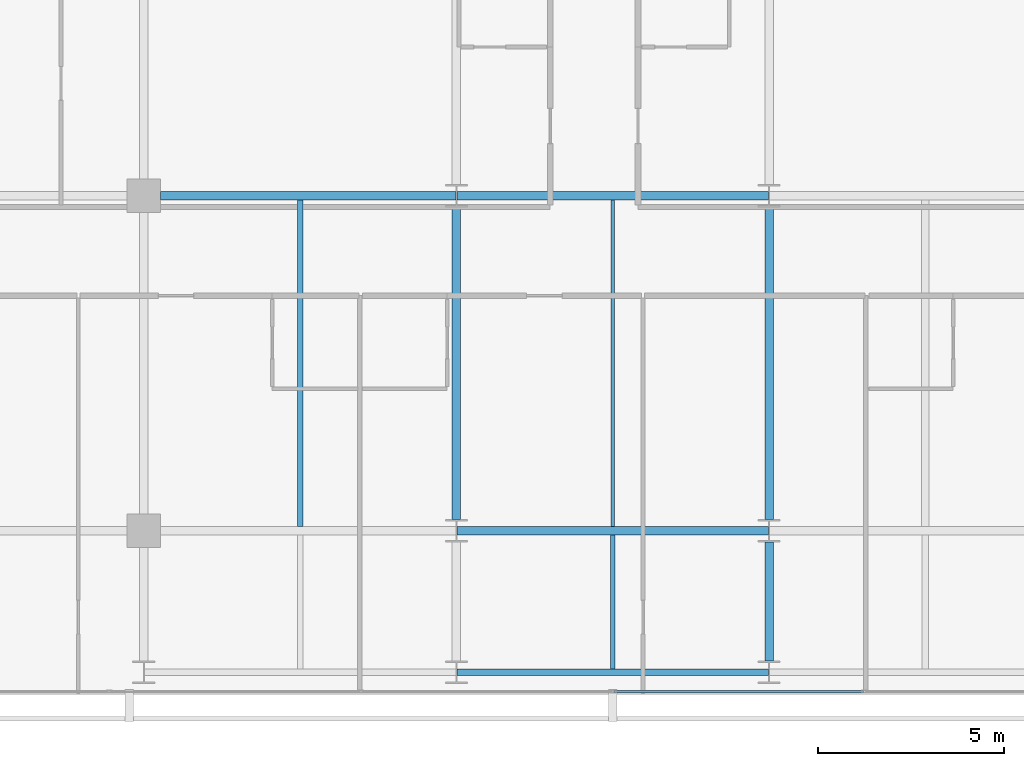
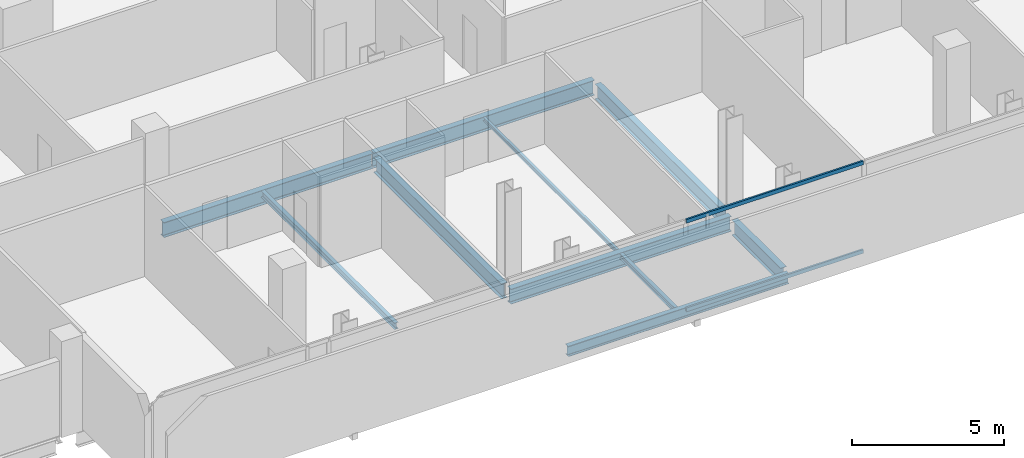
# One storey, part 7 of 33: 10 beams, 2 members, 1 element without a shape of its own.
"""IFC4 building model written with IfcOpenShell, lengths in metres."""

from ifc_helpers import new_model, si_unit, direction, frame, origin, origin_2d, place, context, subcontext, project, spatial, hollow_rectangle, i_section, extrude, material, layer, layer_set, material_profile, profile_set, type_object, element, aggregate, save


model = new_model("IFC4")

# Units and contexts
model_context = context("Model", 3, precision=1e-05, world=origin(), true_north=direction((0.0, 1.0)))
body_context = subcontext(model_context, "Body", "Model", "MODEL_VIEW")
ifc_project = project(units=[si_unit("LENGTHUNIT", "METRE"), si_unit("AREAUNIT", "SQUARE_METRE"), si_unit("VOLUMEUNIT", "CUBIC_METRE"), si_unit("PLANEANGLEUNIT", "RADIAN"), si_unit("MASSUNIT", "GRAM", prefix="KILO")], contexts=[model_context])

# Site, building, storey
site_placement = place(None, origin())
site = spatial("IfcSite", under=ifc_project, at=site_placement, CompositionType="ELEMENT")
building_placement = place(site_placement, origin())
building = spatial("IfcBuilding", under=site, at=building_placement, Name="Maruvema Waterfront Hotel and Observation Tower", CompositionType="ELEMENT")
storey_placement = place(building_placement, frame((0.0, 0.0, 169.75)))
storey = spatial("IfcBuildingStorey", under=building, at=storey_placement, Name="L41", CompositionType="ELEMENT", Elevation=169.75)

# Curtain wall, members
ifc_material_1 = material(Name="Anodised bronze aluminium and solar-control low-E IGU", Category="aluminium")
ifc_layer = layer(ifc_material_1, 0.159912109375, Name="Zone 2 Amber Inner Thermal Curtain Wall System CW-03")
ifc_layer_set = layer_set([ifc_layer], Name="Anodised bronze aluminium and solar-control low-E IGU")
curtain_wall_type = type_object("IfcCurtainWallType", Name="Zone 2 Amber Inner Thermal Curtain Wall System CW-03", PredefinedType="USERDEFINED", material=ifc_layer_set)
curtain_wall_placement = place(storey_placement, origin())
curtain_wall = element("IfcCurtainWall", 1, at=curtain_wall_placement, inside=storey, type_object=curtain_wall_type, Name="L41 Curtain Wall CW-L41-S", ObjectType="UNITISED CURTAIN WALL", PredefinedType="USERDEFINED")
ifc_material_2 = material(Name="Anodised architectural bronze aluminium", Category="aluminium")
ifc_material_profile_1 = material_profile(ifc_material_2, hollow_rectangle(XDim=0.070068359375, YDim=0.14990234375, WallThickness=0.00390625, at=origin_2d()), Name="ALU-T70x150")
ifc_profile_set_1 = profile_set([ifc_material_profile_1], Name="Anodised architectural bronze aluminium")
member_type = type_object("IfcMemberType", Name="Curtain Wall Horizontal Transom ALU-T70x150", PredefinedType="USERDEFINED", material=ifc_profile_set_1)
member_1_placement = place(storey_placement, frame((37.830078125, 4.679931640625, 0.030029296875), z_axis=(1.0, 0.0, 0.0), x_axis=(0.0, 1.0, 0.0)))
member_1 = element("IfcMember", 2, at=member_1_placement, type_object=member_type, Name="CW-03 transom 4.1", ObjectType="TRANSOM", PredefinedType="USERDEFINED", context=body_context, shape_type="SweptSolid", body=[
    extrude(hollow_rectangle(XDim=0.070068359375, YDim=0.14990234375, WallThickness=0.00390625, at=origin_2d()), origin(), (0.0, 0.0, 1.0), 6.70654296875),
])
member_2_placement = place(storey_placement, frame((37.830078125, 4.679931640625, 3.580078125), z_axis=(1.0, 0.0, 0.0), x_axis=(0.0, 1.0, 0.0)))
member_2 = element("IfcMember", 3, at=member_2_placement, type_object=member_type, Name="CW-03 transom 4.2", ObjectType="TRANSOM", PredefinedType="USERDEFINED", context=body_context, shape_type="SweptSolid", body=[
    extrude(hollow_rectangle(XDim=0.070068359375, YDim=0.14990234375, WallThickness=0.00390625, at=origin_2d()), origin(), (0.0, 0.0, 1.0), 6.70654296875),
])
aggregate(curtain_wall, [member_1, member_2])

# Beams
ifc_material_3 = material(Name="Steel ASTM A572 Grade 50", Category="steel")
ifc_material_profile_2 = material_profile(ifc_material_3, i_section(OverallWidth=0.180908203125, OverallDepth=0.4169921875, WebThickness=0.010986328125, FlangeThickness=0.018310546875, FilletRadius=0.014892578125, at=origin_2d()), Name="W410x85.0")
ifc_profile_set_2 = profile_set([ifc_material_profile_2], Name="Steel ASTM A572 Grade 50")
beam_type_1 = type_object("IfcBeamType", Name="Perimeter Spandrel Beam W410x85.0", PredefinedType="SPANDREL", material=ifc_profile_set_2)
beam_1_placement = place(storey_placement, frame((33.612548828125, 5.199951171875, -0.448486328125), z_axis=(1.0, 0.0, 0.0), x_axis=(0.0, 1.0, 0.0)))
element("IfcBeam", 4, at=beam_1_placement, inside=storey, type_object=beam_type_1, Name="L41 Floor Girder EW-02", PredefinedType="SPANDREL", context=body_context, shape_type="SweptSolid", body=[
    extrude(i_section(OverallWidth=0.180908203125, OverallDepth=0.4169921875, WebThickness=0.010986328125, FlangeThickness=0.018310546875, FilletRadius=0.014892578125, at=origin_2d()), origin(), (0.0, 0.0, 1.0), 8.375),
])
ifc_material_4 = material(Name="Steel ASTM A572 Grade 50", Category="steel")
ifc_material_profile_3 = material_profile(ifc_material_4, i_section(OverallWidth=0.22802734375, OverallDepth=0.60302734375, WebThickness=0.010498046875, FlangeThickness=0.014892578125, FilletRadius=0.01806640625, at=origin_2d()), Name="W610x101.0")
ifc_profile_set_3 = profile_set([ifc_material_profile_3], Name="Steel ASTM A572 Grade 50")
beam_type_2 = type_object("IfcBeamType", Name="Primary Floor Girder W610x101.0", PredefinedType="BEAM", material=ifc_profile_set_3)
beam_2_placement = place(storey_placement, frame((33.612548828125, 9.0, -0.54150390625), z_axis=(1.0, 0.0, 0.0), x_axis=(0.0, 1.0, 0.0)))
element("IfcBeam", 5, at=beam_2_placement, inside=storey, type_object=beam_type_2, Name="L41 Floor Girder EW-07", PredefinedType="BEAM", context=body_context, shape_type="SweptSolid", body=[
    extrude(i_section(OverallWidth=0.22802734375, OverallDepth=0.60302734375, WebThickness=0.010498046875, FlangeThickness=0.014892578125, FilletRadius=0.01806640625, at=origin_2d()), origin(), (0.0, 0.0, 1.0), 8.375),
])
beam_3_placement = place(storey_placement, frame((25.64990234375, 18.0, -0.54150390625), z_axis=(1.0, 0.0, 0.0), x_axis=(0.0, 1.0, 0.0)))
element("IfcBeam", 6, at=beam_3_placement, inside=storey, type_object=beam_type_2, Name="L41 Floor Girder EW-13", PredefinedType="BEAM", context=body_context, shape_type="SweptSolid", body=[
    extrude(i_section(OverallWidth=0.22802734375, OverallDepth=0.60302734375, WebThickness=0.010498046875, FlangeThickness=0.014892578125, FilletRadius=0.01806640625, at=origin_2d()), origin(), (0.0, 0.0, 1.0), 7.9375),
])
beam_4_placement = place(storey_placement, frame((33.612548828125, 18.0, -0.54150390625), z_axis=(1.0, 0.0, 0.0), x_axis=(0.0, 1.0, 0.0)))
element("IfcBeam", 7, at=beam_4_placement, inside=storey, type_object=beam_type_2, Name="L41 Floor Girder EW-14", PredefinedType="BEAM", context=body_context, shape_type="SweptSolid", body=[
    extrude(i_section(OverallWidth=0.22802734375, OverallDepth=0.60302734375, WebThickness=0.010498046875, FlangeThickness=0.014892578125, FilletRadius=0.01806640625, at=origin_2d()), origin(), (0.0, 0.0, 1.0), 8.375),
])
beam_5_placement = place(storey_placement, frame((33.60009765625, 9.300048828125, -0.54150390625), z_axis=(0.0, 1.0, 0.0), x_axis=(-1.0, 0.0, 0.0)))
element("IfcBeam", 8, at=beam_5_placement, inside=storey, type_object=beam_type_2, Name="L41 Floor Girder NS-15", PredefinedType="BEAM", context=body_context, shape_type="SweptSolid", body=[
    extrude(i_section(OverallWidth=0.22802734375, OverallDepth=0.60302734375, WebThickness=0.010498046875, FlangeThickness=0.014892578125, FilletRadius=0.01806640625, at=origin_2d()), origin(), (0.0, 0.0, 1.0), 8.39990234375),
])
beam_6_placement = place(storey_placement, frame((42.0, 5.5, -0.54150390625), z_axis=(0.0, 1.0, 0.0), x_axis=(-1.0, 0.0, 0.0)))
element("IfcBeam", 9, at=beam_6_placement, inside=storey, type_object=beam_type_2, Name="L41 Floor Girder NS-17", PredefinedType="BEAM", context=body_context, shape_type="SweptSolid", body=[
    extrude(i_section(OverallWidth=0.22802734375, OverallDepth=0.60302734375, WebThickness=0.010498046875, FlangeThickness=0.014892578125, FilletRadius=0.01806640625, at=origin_2d()), origin(), (0.0, 0.0, 1.0), 3.199951171875),
])
beam_7_placement = place(storey_placement, frame((42.0, 9.300048828125, -0.54150390625), z_axis=(0.0, 1.0, 0.0), x_axis=(-1.0, 0.0, 0.0)))
element("IfcBeam", 10, at=beam_7_placement, inside=storey, type_object=beam_type_2, Name="L41 Floor Girder NS-18", PredefinedType="BEAM", context=body_context, shape_type="SweptSolid", body=[
    extrude(i_section(OverallWidth=0.22802734375, OverallDepth=0.60302734375, WebThickness=0.010498046875, FlangeThickness=0.014892578125, FilletRadius=0.01806640625, at=origin_2d()), origin(), (0.0, 0.0, 1.0), 8.39990234375),
])
ifc_material_5 = material(Name="Steel ASTM A572 Grade 50", Category="steel")
ifc_material_profile_4 = material_profile(ifc_material_5, i_section(OverallWidth=0.10009765625, OverallDepth=0.153076171875, WebThickness=0.005859375, FlangeThickness=0.007080078125, FilletRadius=0.008056640625, at=origin_2d()), Name="W150x18.0")
ifc_profile_set_4 = profile_set([ifc_material_profile_4], Name="Steel ASTM A572 Grade 50")
beam_type_3 = type_object("IfcBeamType", Name="Secondary Floor Joist W150x18.0", PredefinedType="JOIST", material=ifc_profile_set_4)
beam_8_placement = place(storey_placement, frame((37.800048828125, 9.114013671875, -0.31640625), z_axis=(0.0, 1.0, 0.0), x_axis=(-1.0, 0.0, 0.0)))
element("IfcBeam", 11, at=beam_8_placement, inside=storey, type_object=beam_type_3, Name="L41 Secondary Floor Joist JS-08", PredefinedType="JOIST", context=body_context, shape_type="SweptSolid", body=[
    extrude(i_section(OverallWidth=0.10009765625, OverallDepth=0.153076171875, WebThickness=0.005859375, FlangeThickness=0.007080078125, FilletRadius=0.008056640625, at=origin_2d()), origin(), (0.0, 0.0, 1.0), 8.77197265625),
])
ifc_material_6 = material(Name="Steel ASTM A572 Grade 50", Category="steel")
ifc_material_profile_5 = material_profile(ifc_material_6, i_section(OverallWidth=0.133056640625, OverallDepth=0.20703125, WebThickness=0.005859375, FlangeThickness=0.00830078125, FilletRadius=0.010009765625, at=origin_2d()), Name="W200x26.6")
ifc_profile_set_5 = profile_set([ifc_material_profile_5], Name="Steel ASTM A572 Grade 50")
beam_type_4 = type_object("IfcBeamType", Name="Secondary Floor Joist W200x26.6", PredefinedType="JOIST", material=ifc_profile_set_5)
beam_9_placement = place(storey_placement, frame((37.800048828125, 5.29052734375, -0.343505859375), z_axis=(0.0, 1.0, 0.0), x_axis=(-1.0, 0.0, 0.0)))
element("IfcBeam", 12, at=beam_9_placement, inside=storey, type_object=beam_type_4, Name="L41 Secondary Floor Joist JS-07", PredefinedType="JOIST", context=body_context, shape_type="SweptSolid", body=[
    extrude(i_section(OverallWidth=0.133056640625, OverallDepth=0.20703125, WebThickness=0.005859375, FlangeThickness=0.00830078125, FilletRadius=0.010009765625, at=origin_2d()), origin(), (0.0, 0.0, 1.0), 3.595458984375),
])
ifc_material_7 = material(Name="Steel ASTM A572 Grade 50", Category="steel")
ifc_material_profile_6 = material_profile(ifc_material_7, i_section(OverallWidth=0.14599609375, OverallDepth=0.258056640625, WebThickness=0.006103515625, FlangeThickness=0.009033203125, FilletRadius=0.012939453125, at=origin_2d()), Name="W250x32.7")
ifc_profile_set_6 = profile_set([ifc_material_profile_6], Name="Steel ASTM A572 Grade 50")
beam_type_5 = type_object("IfcBeamType", Name="Secondary Floor Joist W250x32.7", PredefinedType="JOIST", material=ifc_profile_set_6)
beam_10_placement = place(storey_placement, frame((29.39990234375, 9.114013671875, -0.368896484375), z_axis=(0.0, 1.0, 0.0), x_axis=(-1.0, 0.0, 0.0)))
element("IfcBeam", 13, at=beam_10_placement, inside=storey, type_object=beam_type_5, Name="L41 Secondary Floor Joist JS-06", PredefinedType="JOIST", context=body_context, shape_type="SweptSolid", body=[
    extrude(i_section(OverallWidth=0.14599609375, OverallDepth=0.258056640625, WebThickness=0.006103515625, FlangeThickness=0.009033203125, FilletRadius=0.012939453125, at=origin_2d()), origin(), (0.0, 0.0, 1.0), 8.77197265625),
])

save(model, "model.ifc")
